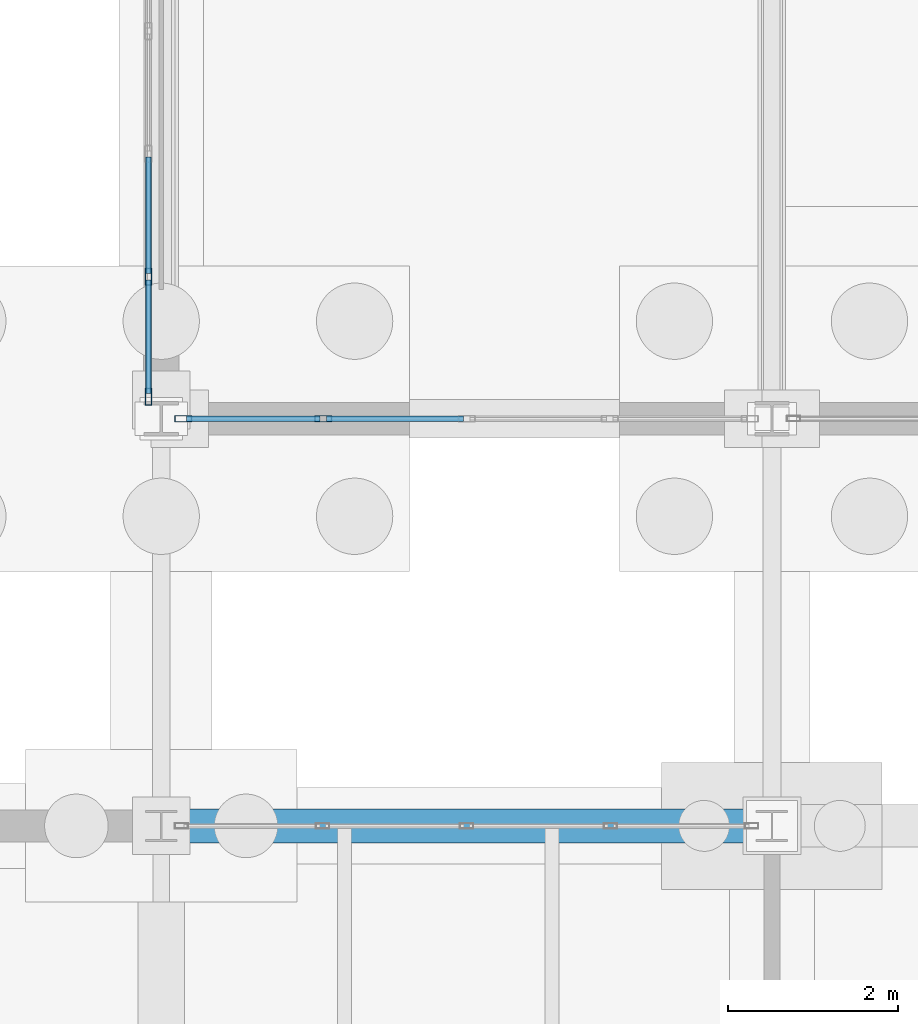
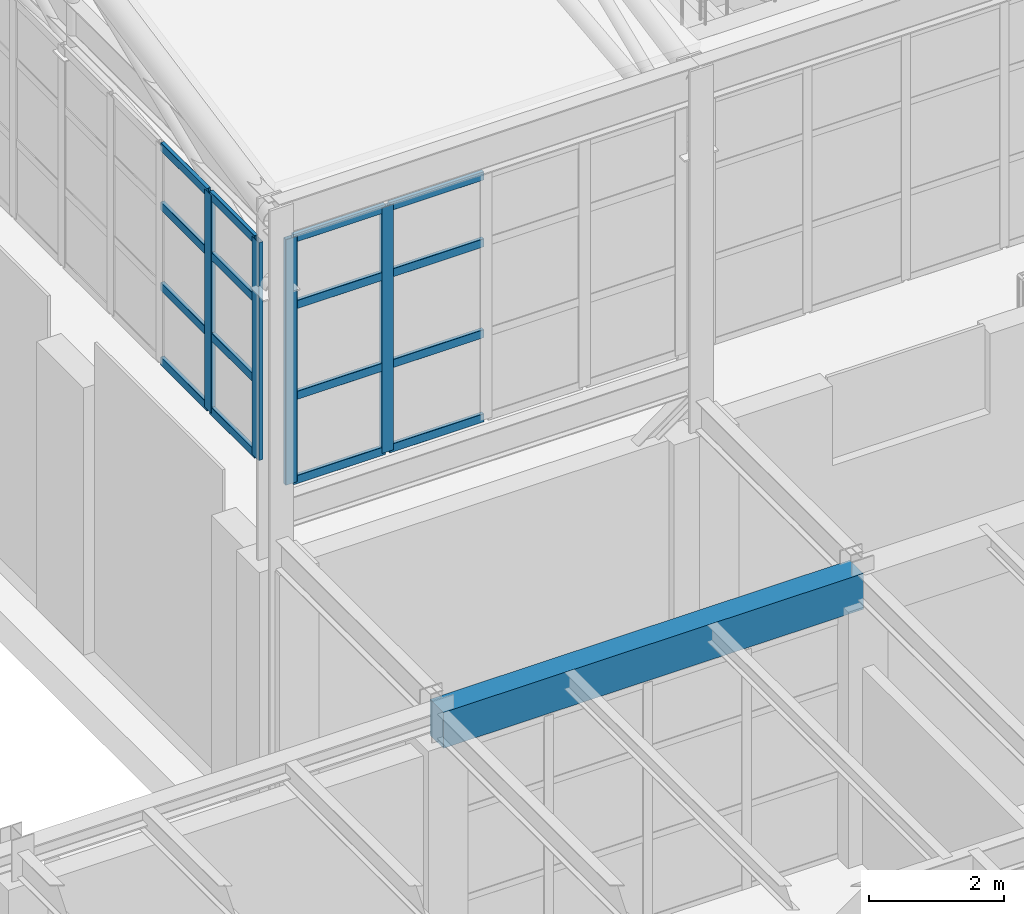
# One storey, part 104 of 293: 20 members, 1 beam, 2 elements without a shape of their own.
"""IFC4 building model written with IfcOpenShell, lengths in metres."""

from ifc_helpers import new_model, si_unit, direction, frame, origin, origin_2d, place, context, subcontext, project, spatial, rectangle, hollow_rectangle, extrude, material, layer, layer_set, material_profile, profile_set, type_object, element, aggregate, save


model = new_model("IFC4")

# Units and contexts
model_context = context("Model", 3, precision=1e-05, world=origin(), true_north=direction((0.0, 1.0)))
body_context = subcontext(model_context, "Body", "Model", "MODEL_VIEW")
ifc_project = project(units=[si_unit("LENGTHUNIT", "METRE"), si_unit("AREAUNIT", "SQUARE_METRE"), si_unit("VOLUMEUNIT", "CUBIC_METRE"), si_unit("PLANEANGLEUNIT", "RADIAN"), si_unit("MASSUNIT", "GRAM", prefix="KILO")], contexts=[model_context])

# Site, building, storey
site_placement = place(None, origin())
site = spatial("IfcSite", under=ifc_project, at=site_placement, CompositionType="ELEMENT")
building_placement = place(site_placement, origin())
building = spatial("IfcBuilding", under=site, at=building_placement, Name="Kemerveld Promenade Tramway Depot", CompositionType="ELEMENT")
storey_placement = place(building_placement, origin())
storey = spatial("IfcBuildingStorey", under=building, at=storey_placement, Name="L00", CompositionType="ELEMENT", Elevation=0.0)

# Beam
ifc_material_1 = material(Name="Concrete C40/50", Category="concrete")
ifc_material_profile_1 = material_profile(ifc_material_1, rectangle(XDim=0.39990234375, YDim=0.64990234375, at=origin_2d()), Name="RC-BM-400x650")
ifc_profile_set_1 = profile_set([ifc_material_profile_1], Name="Concrete C40/50")
beam_type = type_object("IfcBeamType", Name="BM-RC1", PredefinedType="BEAM", material=ifc_profile_set_1)
beam_placement = place(storey_placement, frame((36.0, 79.199951171875, 4.824951171875), z_axis=(1.0, 0.0, 0.0), x_axis=(0.0, 1.0, 0.0)))
element("IfcBeam", 1, at=beam_placement, inside=storey, type_object=beam_type, Name="BMX-L00-06-07-M", PredefinedType="BEAM", context=body_context, shape_type="SweptSolid", body=[
    extrude(rectangle(XDim=0.39990234375, YDim=0.64990234375, at=origin_2d()), origin(), (0.0, 0.0, 1.0), 7.199951171875),
])

# Curtain wall, members
ifc_material_2 = material(Name="Bronze anodised aluminium and solar glass", Category="aluminium")
ifc_layer_1 = layer(ifc_material_2, 0.199951171875)
ifc_layer_set_1 = layer_set([ifc_layer_1], Name="CW-SYS-04")
curtain_wall_type_1 = type_object("IfcCurtainWallType", Name="CW-SYS-04", PredefinedType="USERDEFINED", material=ifc_layer_set_1)
curtain_wall_1_placement = place(storey_placement, origin())
curtain_wall_1 = element("IfcCurtainWall", 2, at=curtain_wall_1_placement, inside=storey, type_object=curtain_wall_type_1, Name="CW-V1-S-01", ObjectType="GLAZED_CURTAIN_WALL", PredefinedType="USERDEFINED")
ifc_material_3 = material(Name="Bronze anodised aluminium", Category="aluminium")
ifc_material_profile_2 = material_profile(ifc_material_3, hollow_rectangle(XDim=0.074951171875, YDim=0.199951171875, WallThickness=0.0048828125, InnerFilletRadius=0.001953125, OuterFilletRadius=0.0048828125, at=origin_2d()), Name="CW-MUL-200x75")
ifc_profile_set_2 = profile_set([ifc_material_profile_2], Name="Bronze anodised aluminium")
member_type_1 = type_object("IfcMemberType", Name="CW-MUL-B", PredefinedType="MULLION", material=ifc_profile_set_2)
member_1_placement = place(storey_placement, frame((37.91162109375, 84.0, 6.199951171875), z_axis=(0.0, 0.0, 1.0), x_axis=(0.0, -1.0, 0.0)))
member_1 = element("IfcMember", 3, at=member_1_placement, type_object=member_type_1, Name="CW04 mullion 4", PredefinedType="MULLION", context=body_context, shape_type="SweptSolid", body=[
    extrude(hollow_rectangle(XDim=0.074951171875, YDim=0.199951171875, WallThickness=0.0048828125, InnerFilletRadius=0.001953125, OuterFilletRadius=0.0048828125, at=origin_2d()), origin(), (0.0, 0.0, 1.0), 4.449951171875),
])
member_2_placement = place(storey_placement, frame((36.2607421875, 84.0, 6.199951171875), z_axis=(0.0, 0.0, 1.0), x_axis=(0.0, -1.0, 0.0)))
member_2 = element("IfcMember", 4, at=member_2_placement, type_object=member_type_1, Name="CW04 mullion 5", PredefinedType="MULLION", context=body_context, shape_type="SweptSolid", body=[
    extrude(hollow_rectangle(XDim=0.074951171875, YDim=0.199951171875, WallThickness=0.0048828125, InnerFilletRadius=0.001953125, OuterFilletRadius=0.0048828125, at=origin_2d()), origin(), (0.0, 0.0, 1.0), 4.449951171875),
])

ifc_layer_2 = layer(ifc_material_2, 0.199951171875)
ifc_layer_set_2 = layer_set([ifc_layer_2], Name="CW-SYS-08")
curtain_wall_type_2 = type_object("IfcCurtainWallType", Name="CW-SYS-08", PredefinedType="USERDEFINED", material=ifc_layer_set_2)
curtain_wall_2_placement = place(storey_placement, origin())
curtain_wall_2 = element("IfcCurtainWall", 5, at=curtain_wall_2_placement, inside=storey, type_object=curtain_wall_type_2, Name="CW-V1-W-01", ObjectType="GLAZED_CURTAIN_WALL", PredefinedType="USERDEFINED")
member_3_placement = place(storey_placement, frame((35.85009765625, 84.2607421875, 6.64990234375), z_axis=(0.0, 0.0, 1.0), x_axis=(-1.0, 0.0, 0.0)))
member_3 = element("IfcMember", 6, at=member_3_placement, type_object=member_type_1, Name="CW08 mullion 1", PredefinedType="MULLION", context=body_context, shape_type="SweptSolid", body=[
    extrude(hollow_rectangle(XDim=0.074951171875, YDim=0.199951171875, WallThickness=0.0048828125, InnerFilletRadius=0.001953125, OuterFilletRadius=0.0048828125, at=origin_2d()), origin(), (0.0, 0.0, 1.0), 3.9501953125),
])
member_4_placement = place(storey_placement, frame((35.85009765625, 85.67236328125, 6.64990234375), z_axis=(0.0, 0.0, 1.0), x_axis=(-1.0, 0.0, 0.0)))
member_4 = element("IfcMember", 7, at=member_4_placement, type_object=member_type_1, Name="CW08 mullion 2", PredefinedType="MULLION", context=body_context, shape_type="SweptSolid", body=[
    extrude(hollow_rectangle(XDim=0.074951171875, YDim=0.199951171875, WallThickness=0.0048828125, InnerFilletRadius=0.001953125, OuterFilletRadius=0.0048828125, at=origin_2d()), origin(), (0.0, 0.0, 1.0), 3.9501953125),
])

# Member
ifc_material_profile_3 = material_profile(ifc_material_3, hollow_rectangle(XDim=0.06494140625, YDim=0.14990234375, WallThickness=0.00439453125, InnerFilletRadius=0.001953125, OuterFilletRadius=0.00439453125, at=origin_2d()), Name="CW-TRN-150x65")
ifc_profile_set_3 = profile_set([ifc_material_profile_3], Name="Bronze anodised aluminium")
member_type_2 = type_object("IfcMemberType", Name="CW-TRN-B", PredefinedType="USERDEFINED", material=ifc_profile_set_3)
member_5_placement = place(storey_placement, frame((39.5625, 84.0, 6.232421875), z_axis=(-1.0, 0.0, 0.0), x_axis=(0.0, -1.0, 0.0)))
member_5 = element("IfcMember", 8, at=member_5_placement, type_object=member_type_2, Name="CW04 transom 3.1", ObjectType="TRANSOM", PredefinedType="USERDEFINED", context=body_context, shape_type="SweptSolid", body=[
    extrude(hollow_rectangle(XDim=0.06494140625, YDim=0.14990234375, WallThickness=0.00439453125, InnerFilletRadius=0.001953125, OuterFilletRadius=0.00439453125, at=origin_2d()), origin(), (0.0, 0.0, 1.0), 1.61328125),
])

member_6_placement = place(storey_placement, frame((39.5625, 84.0, 7.758056640625), z_axis=(-1.0, 0.0, 0.0), x_axis=(0.0, -1.0, 0.0)))
member_6 = element("IfcMember", 9, at=member_6_placement, type_object=member_type_2, Name="CW04 transom 3.2", ObjectType="TRANSOM", PredefinedType="USERDEFINED", context=body_context, shape_type="SweptSolid", body=[
    extrude(hollow_rectangle(XDim=0.06494140625, YDim=0.14990234375, WallThickness=0.00439453125, InnerFilletRadius=0.001953125, OuterFilletRadius=0.00439453125, at=origin_2d()), origin(), (0.0, 0.0, 1.0), 1.61328125),
])

member_7_placement = place(storey_placement, frame((39.5625, 84.0, 9.404052734375), z_axis=(-1.0, 0.0, 0.0), x_axis=(0.0, -1.0, 0.0)))
member_7 = element("IfcMember", 10, at=member_7_placement, type_object=member_type_2, Name="CW04 transom 3.3", ObjectType="TRANSOM", PredefinedType="USERDEFINED", context=body_context, shape_type="SweptSolid", body=[
    extrude(hollow_rectangle(XDim=0.06494140625, YDim=0.14990234375, WallThickness=0.00439453125, InnerFilletRadius=0.001953125, OuterFilletRadius=0.00439453125, at=origin_2d()), origin(), (0.0, 0.0, 1.0), 1.61328125),
])

member_8_placement = place(storey_placement, frame((39.5625, 84.0, 10.617431640625), z_axis=(-1.0, 0.0, 0.0), x_axis=(0.0, -1.0, 0.0)))
member_8 = element("IfcMember", 11, at=member_8_placement, type_object=member_type_2, Name="CW04 transom 3.4", ObjectType="TRANSOM", PredefinedType="USERDEFINED", context=body_context, shape_type="SweptSolid", body=[
    extrude(hollow_rectangle(XDim=0.06494140625, YDim=0.14990234375, WallThickness=0.00439453125, InnerFilletRadius=0.001953125, OuterFilletRadius=0.00439453125, at=origin_2d()), origin(), (0.0, 0.0, 1.0), 1.61328125),
])

member_9_placement = place(storey_placement, frame((37.8740234375, 84.0, 6.232421875), z_axis=(-1.0, 0.0, 0.0), x_axis=(0.0, -1.0, 0.0)))
member_9 = element("IfcMember", 12, at=member_9_placement, type_object=member_type_2, Name="CW04 transom 4.1", ObjectType="TRANSOM", PredefinedType="USERDEFINED", context=body_context, shape_type="SweptSolid", body=[
    extrude(hollow_rectangle(XDim=0.06494140625, YDim=0.14990234375, WallThickness=0.00439453125, InnerFilletRadius=0.001953125, OuterFilletRadius=0.00439453125, at=origin_2d()), origin(), (0.0, 0.0, 1.0), 1.575927734375),
])

member_10_placement = place(storey_placement, frame((37.8740234375, 84.0, 7.758056640625), z_axis=(-1.0, 0.0, 0.0), x_axis=(0.0, -1.0, 0.0)))
member_10 = element("IfcMember", 13, at=member_10_placement, type_object=member_type_2, Name="CW04 transom 4.2", ObjectType="TRANSOM", PredefinedType="USERDEFINED", context=body_context, shape_type="SweptSolid", body=[
    extrude(hollow_rectangle(XDim=0.06494140625, YDim=0.14990234375, WallThickness=0.00439453125, InnerFilletRadius=0.001953125, OuterFilletRadius=0.00439453125, at=origin_2d()), origin(), (0.0, 0.0, 1.0), 1.575927734375),
])

member_11_placement = place(storey_placement, frame((37.8740234375, 84.0, 9.404052734375), z_axis=(-1.0, 0.0, 0.0), x_axis=(0.0, -1.0, 0.0)))
member_11 = element("IfcMember", 14, at=member_11_placement, type_object=member_type_2, Name="CW04 transom 4.3", ObjectType="TRANSOM", PredefinedType="USERDEFINED", context=body_context, shape_type="SweptSolid", body=[
    extrude(hollow_rectangle(XDim=0.06494140625, YDim=0.14990234375, WallThickness=0.00439453125, InnerFilletRadius=0.001953125, OuterFilletRadius=0.00439453125, at=origin_2d()), origin(), (0.0, 0.0, 1.0), 1.575927734375),
])

member_12_placement = place(storey_placement, frame((37.8740234375, 84.0, 10.617431640625), z_axis=(-1.0, 0.0, 0.0), x_axis=(0.0, -1.0, 0.0)))
member_12 = element("IfcMember", 15, at=member_12_placement, type_object=member_type_2, Name="CW04 transom 4.4", ObjectType="TRANSOM", PredefinedType="USERDEFINED", context=body_context, shape_type="SweptSolid", body=[
    extrude(hollow_rectangle(XDim=0.06494140625, YDim=0.14990234375, WallThickness=0.00439453125, InnerFilletRadius=0.001953125, OuterFilletRadius=0.00439453125, at=origin_2d()), origin(), (0.0, 0.0, 1.0), 1.575927734375),
])

aggregate(curtain_wall_1, [member_1, member_2, member_5, member_6, member_7, member_8, member_9, member_10, member_11, member_12])

member_13_placement = place(storey_placement, frame((35.85009765625, 84.298095703125, 6.6826171875), z_axis=(0.0, 1.0, 0.0), x_axis=(-1.0, 0.0, 0.0)))
member_13 = element("IfcMember", 16, at=member_13_placement, type_object=member_type_2, Name="CW08 transom 1.1", ObjectType="TRANSOM", PredefinedType="USERDEFINED", context=body_context, shape_type="SweptSolid", body=[
    extrude(hollow_rectangle(XDim=0.06494140625, YDim=0.14990234375, WallThickness=0.00439453125, InnerFilletRadius=0.001953125, OuterFilletRadius=0.00439453125, at=origin_2d()), origin(), (0.0, 0.0, 1.0), 1.336669921875),
])

member_14_placement = place(storey_placement, frame((35.85009765625, 84.298095703125, 8.032958984375), z_axis=(0.0, 1.0, 0.0), x_axis=(-1.0, 0.0, 0.0)))
member_14 = element("IfcMember", 17, at=member_14_placement, type_object=member_type_2, Name="CW08 transom 1.2", ObjectType="TRANSOM", PredefinedType="USERDEFINED", context=body_context, shape_type="SweptSolid", body=[
    extrude(hollow_rectangle(XDim=0.06494140625, YDim=0.14990234375, WallThickness=0.00439453125, InnerFilletRadius=0.001953125, OuterFilletRadius=0.00439453125, at=origin_2d()), origin(), (0.0, 0.0, 1.0), 1.336669921875),
])

member_15_placement = place(storey_placement, frame((35.85009765625, 84.298095703125, 9.493896484375), z_axis=(0.0, 1.0, 0.0), x_axis=(-1.0, 0.0, 0.0)))
member_15 = element("IfcMember", 18, at=member_15_placement, type_object=member_type_2, Name="CW08 transom 1.3", ObjectType="TRANSOM", PredefinedType="USERDEFINED", context=body_context, shape_type="SweptSolid", body=[
    extrude(hollow_rectangle(XDim=0.06494140625, YDim=0.14990234375, WallThickness=0.00439453125, InnerFilletRadius=0.001953125, OuterFilletRadius=0.00439453125, at=origin_2d()), origin(), (0.0, 0.0, 1.0), 1.336669921875),
])

member_16_placement = place(storey_placement, frame((35.85009765625, 84.298095703125, 10.5673828125), z_axis=(0.0, 1.0, 0.0), x_axis=(-1.0, 0.0, 0.0)))
member_16 = element("IfcMember", 19, at=member_16_placement, type_object=member_type_2, Name="CW08 transom 1.4", ObjectType="TRANSOM", PredefinedType="USERDEFINED", context=body_context, shape_type="SweptSolid", body=[
    extrude(hollow_rectangle(XDim=0.06494140625, YDim=0.14990234375, WallThickness=0.00439453125, InnerFilletRadius=0.001953125, OuterFilletRadius=0.00439453125, at=origin_2d()), origin(), (0.0, 0.0, 1.0), 1.336669921875),
])

member_17_placement = place(storey_placement, frame((35.85009765625, 85.7099609375, 6.6826171875), z_axis=(0.0, 1.0, 0.0), x_axis=(-1.0, 0.0, 0.0)))
member_17 = element("IfcMember", 20, at=member_17_placement, type_object=member_type_2, Name="CW08 transom 2.1", ObjectType="TRANSOM", PredefinedType="USERDEFINED", context=body_context, shape_type="SweptSolid", body=[
    extrude(hollow_rectangle(XDim=0.06494140625, YDim=0.14990234375, WallThickness=0.00439453125, InnerFilletRadius=0.001953125, OuterFilletRadius=0.00439453125, at=origin_2d()), origin(), (0.0, 0.0, 1.0), 1.3740234375),
])

member_18_placement = place(storey_placement, frame((35.85009765625, 85.7099609375, 8.032958984375), z_axis=(0.0, 1.0, 0.0), x_axis=(-1.0, 0.0, 0.0)))
member_18 = element("IfcMember", 21, at=member_18_placement, type_object=member_type_2, Name="CW08 transom 2.2", ObjectType="TRANSOM", PredefinedType="USERDEFINED", context=body_context, shape_type="SweptSolid", body=[
    extrude(hollow_rectangle(XDim=0.06494140625, YDim=0.14990234375, WallThickness=0.00439453125, InnerFilletRadius=0.001953125, OuterFilletRadius=0.00439453125, at=origin_2d()), origin(), (0.0, 0.0, 1.0), 1.3740234375),
])

member_19_placement = place(storey_placement, frame((35.85009765625, 85.7099609375, 9.493896484375), z_axis=(0.0, 1.0, 0.0), x_axis=(-1.0, 0.0, 0.0)))
member_19 = element("IfcMember", 22, at=member_19_placement, type_object=member_type_2, Name="CW08 transom 2.3", ObjectType="TRANSOM", PredefinedType="USERDEFINED", context=body_context, shape_type="SweptSolid", body=[
    extrude(hollow_rectangle(XDim=0.06494140625, YDim=0.14990234375, WallThickness=0.00439453125, InnerFilletRadius=0.001953125, OuterFilletRadius=0.00439453125, at=origin_2d()), origin(), (0.0, 0.0, 1.0), 1.3740234375),
])

member_20_placement = place(storey_placement, frame((35.85009765625, 85.7099609375, 10.5673828125), z_axis=(0.0, 1.0, 0.0), x_axis=(-1.0, 0.0, 0.0)))
member_20 = element("IfcMember", 23, at=member_20_placement, type_object=member_type_2, Name="CW08 transom 2.4", ObjectType="TRANSOM", PredefinedType="USERDEFINED", context=body_context, shape_type="SweptSolid", body=[
    extrude(hollow_rectangle(XDim=0.06494140625, YDim=0.14990234375, WallThickness=0.00439453125, InnerFilletRadius=0.001953125, OuterFilletRadius=0.00439453125, at=origin_2d()), origin(), (0.0, 0.0, 1.0), 1.3740234375),
])

aggregate(curtain_wall_2, [member_3, member_4, member_13, member_14, member_15, member_16, member_17, member_18, member_19, member_20])

save(model, "model.ifc")
